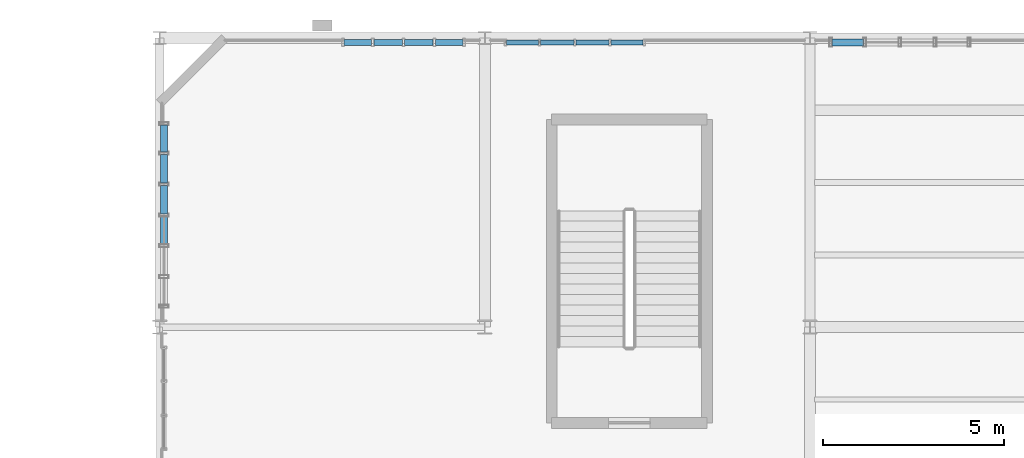
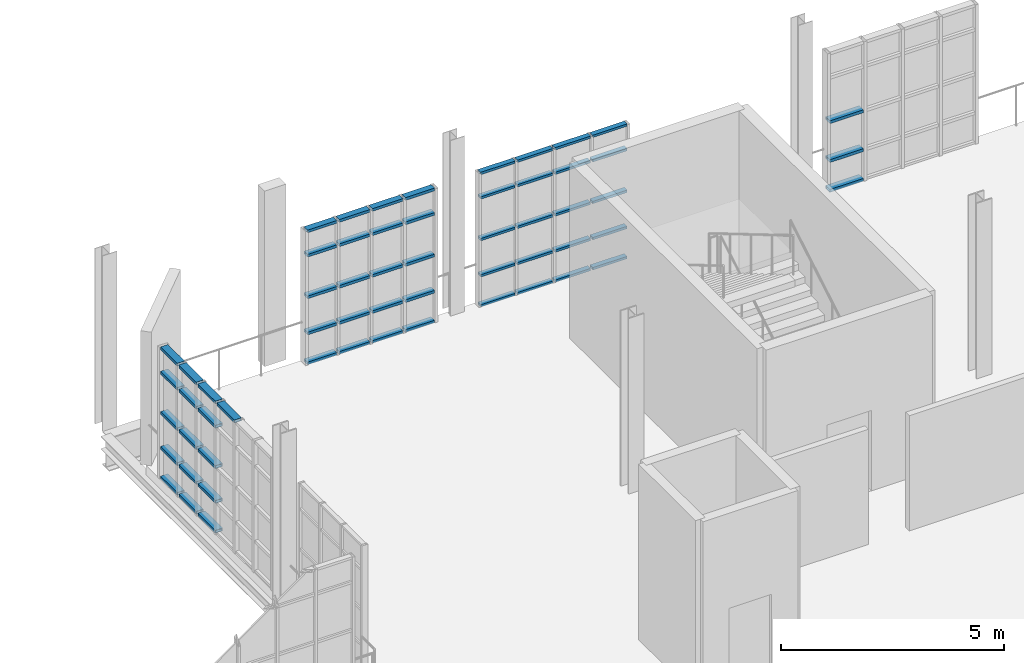
# One storey, part 71 of 122: 59 members, 4 elements without a shape of their own.
"""IFC4 building model written with IfcOpenShell, lengths in metres."""

import ifcopenshell
import ifcopenshell.guid

model = None  # the IFC model being written
_history = None  # IfcOwnerHistory: only IFC2X3 demands one
_inside = {}  # id of a spatial element -> (the spatial element, [elements in it])
_under = {}  # id of a project, library or spatial element -> (it, [spatial elements below it])
_declared = {}  # id of a project -> (the project, [libraries it declares])
_typed = {}  # id of a type object -> (the type object, [elements of that type])
_made_of = {}  # id of a material, layer set ... -> (it, [elements and type objects made of it])


def new_model(schema):
    """Start an empty IFC model of exactly this schema.

    Asked for "IFC4X3", IfcOpenShell would pick the latest addendum, in which some entities
    have other attributes; the version numbers below select the first issue.
    IFC2X3 requires an IfcOwnerHistory on every rooted entity: one is made here for all.
    """
    global model, _history
    if schema == "IFC4X3":
        model = ifcopenshell.file(schema_version=(4, 3, 0, 0))
    else:
        model = ifcopenshell.file(schema=schema)
    _inside.clear()
    _under.clear()
    _declared.clear()
    _typed.clear()
    _made_of.clear()
    _history = None
    if model.schema == "IFC2X3":
        org = make("IfcOrganization", Name="unknown")
        user = make(
            "IfcPersonAndOrganization",
            ThePerson=make("IfcPerson", FamilyName="unknown"),
            TheOrganization=org,
        )
        app = make(
            "IfcApplication",
            ApplicationDeveloper=org,
            Version="unknown",
            ApplicationFullName="unknown",
            ApplicationIdentifier="unknown",
        )
        _history = make(
            "IfcOwnerHistory",
            OwningUser=user,
            OwningApplication=app,
            ChangeAction="ADDED",
            CreationDate=0,
        )
    return model


def make(cls, **values):
    """One entity of the class cls with the attributes given. An attribute that is None is left unset."""
    return model.create_entity(
        cls, **{name: value for name, value in values.items() if value is not None}
    )


def rooted(cls, **values):
    """An entity with a GlobalId (a new one), such as an element, a storey or a relation."""
    return make(cls, GlobalId=ifcopenshell.guid.new(), OwnerHistory=_history, **values)


def si_unit(unit_type, name, prefix=None):
    """IfcSIUnit, for example si_unit("LENGTHUNIT", "METRE", prefix="MILLI")."""
    return make("IfcSIUnit", UnitType=unit_type, Prefix=prefix, Name=name)


def assignment(units):
    """IfcUnitAssignment: the units of a project."""
    return None if units is None else make("IfcUnitAssignment", Units=units)


def point(xyz):
    """IfcCartesianPoint."""
    return None if xyz is None else make("IfcCartesianPoint", Coordinates=xyz)


def direction(xyz):
    """IfcDirection."""
    return None if xyz is None else make("IfcDirection", DirectionRatios=xyz)


def frame(location, z_axis=None, x_axis=None):
    """IfcAxis2Placement3D, a coordinate frame: its origin and axes. An axis left out is left unset."""
    return make(
        "IfcAxis2Placement3D",
        Location=point(location),
        Axis=direction(z_axis),
        RefDirection=direction(x_axis),
    )


def frame_2d(location, x_axis=None):
    """IfcAxis2Placement2D, a coordinate frame in the plane: its origin and x axis."""
    return make(
        "IfcAxis2Placement2D", Location=point(location), RefDirection=direction(x_axis)
    )


def origin():
    """The frame at (0, 0, 0) with its axes left unset."""
    return frame((0.0, 0.0, 0.0))


def origin_2d():
    """The frame at (0, 0) in the plane with its x axis left unset."""
    return frame_2d((0.0, 0.0))


def place(relative_to, where):
    """IfcLocalPlacement: puts the frame where relative to a parent placement (None: the world)."""
    return make(
        "IfcLocalPlacement", PlacementRelTo=relative_to, RelativePlacement=where
    )


def context(
    kind, dimensions, precision=None, world=None, true_north=None, identifier=None
):
    """IfcGeometricRepresentationContext, for example the 3D "Model" context."""
    return make(
        "IfcGeometricRepresentationContext",
        ContextIdentifier=identifier,
        ContextType=kind,
        CoordinateSpaceDimension=dimensions,
        Precision=precision,
        WorldCoordinateSystem=world,
        TrueNorth=true_north,
    )


def subcontext(parent, identifier, kind, view, scale=None):
    """IfcGeometricRepresentationSubContext, for example "Body" below "Model"."""
    return make(
        "IfcGeometricRepresentationSubContext",
        ContextIdentifier=identifier,
        ContextType=kind,
        ParentContext=parent,
        TargetScale=scale,
        TargetView=view,
    )


def project(units=None, contexts=None):
    """IfcProject with its units and contexts."""
    return rooted(
        "IfcProject",
        Name="project",
        RepresentationContexts=contexts,
        UnitsInContext=assignment(units),
    )


def spatial(cls, under=None, at=None, **own):
    """A site, building, storey or space (cls), placed at a placement, below another one or the project."""
    s = rooted(cls, ObjectPlacement=at, **own)
    if under is not None:
        _under.setdefault(under.id(), (under, []))[1].append(s)
    return s


def profile(cls, at=None, kind="AREA", **sizes):
    """A parametric profile (cls). Its sizes go by their IFC names, for example OverallWidth=200.0."""
    return make(cls, ProfileType=kind, Position=at, **sizes)


def hollow_rectangle(**sizes):
    """IfcRectangleHollowProfileDef."""
    return profile("IfcRectangleHollowProfileDef", **sizes)


def extrude(swept, where, along, depth):
    """IfcExtrudedAreaSolid: the profile swept, set in the frame where, extruded along a direction by depth."""
    return make(
        "IfcExtrudedAreaSolid",
        SweptArea=swept,
        Position=where,
        ExtrudedDirection=direction(along),
        Depth=depth,
    )


def shape(context_of_items, identifier, shape_type, items):
    """IfcShapeRepresentation: the items that make up one representation, for example the "Body"."""
    return make(
        "IfcShapeRepresentation",
        ContextOfItems=context_of_items,
        RepresentationIdentifier=identifier,
        RepresentationType=shape_type,
        Items=items,
    )


def material(Name=None, Category=None):
    """IfcMaterial."""
    return make("IfcMaterial", Name=Name, Category=Category)


def layer(
    of_material, thickness, ventilated=None, Name=None, Category=None, Priority=None
):
    """IfcMaterialLayer: one layer of a wall or slab, of a material (None: an air gap)."""
    return make(
        "IfcMaterialLayer",
        Material=of_material,
        LayerThickness=thickness,
        IsVentilated=ventilated,
        Name=Name,
        Category=Category,
        Priority=Priority,
    )


def layer_set(layers, Name=None):
    """IfcMaterialLayerSet."""
    return make("IfcMaterialLayerSet", MaterialLayers=layers, LayerSetName=Name)


def material_profile(
    of_material, cross_section, Name=None, Category=None, Priority=None
):
    """IfcMaterialProfile: a cross section and its material."""
    return make(
        "IfcMaterialProfile",
        Name=Name,
        Material=of_material,
        Profile=cross_section,
        Priority=Priority,
        Category=Category,
    )


def profile_set(profiles, Name=None, composite=None):
    """IfcMaterialProfileSet."""
    return make(
        "IfcMaterialProfileSet",
        Name=Name,
        MaterialProfiles=profiles,
        CompositeProfile=composite,
    )


def made_of(thing, what):
    """Note that an element or type object is made of a material, layer set ...; save() writes the relation."""
    if what is not None:
        _made_of.setdefault(what.id(), (what, []))[1].append(thing)
    return thing


def type_object(cls, material=None, **own):
    """A type object (cls), such as IfcWallType, which elements share."""
    return made_of(rooted(cls, **own), material)


def element(
    cls,
    number,
    at=None,
    inside=None,
    cuts=None,
    type_object=None,
    material=None,
    context=None,
    identifier="Body",
    shape_type=None,
    held_by="IfcProductDefinitionShape",
    body=None,
    shapes=None,
    **own,
):
    """One element of the class cls, such as IfcWall. Its Tag is "e" and its number.

    at: its placement. inside: the storey or other place that contains it. cuts: it is an
    opening in that element (IfcRelVoidsElement). A single representation is given by context,
    identifier, shape_type and body (its items); several are given by shapes. held_by: the class
    of the entity that holds the representations. save() writes the other relations.
    """
    e = rooted(cls, Tag="e%d" % number, ObjectPlacement=at, **own)
    if body is not None:
        shapes = [shape(context, identifier, shape_type, body)]
    if shapes is not None:
        e.Representation = make(held_by, Representations=shapes)
    if inside is not None:
        _inside.setdefault(inside.id(), (inside, []))[1].append(e)
    if cuts is not None:
        rooted(
            "IfcRelVoidsElement", RelatingBuildingElement=cuts, RelatedOpeningElement=e
        )
    if type_object is not None:
        _typed.setdefault(type_object.id(), (type_object, []))[1].append(e)
    return made_of(e, material)


def aggregate(whole, parts):
    """IfcRelAggregates: a whole, such as a stair, and the parts it consists of."""
    return rooted("IfcRelAggregates", RelatingObject=whole, RelatedObjects=parts)


def save(model, path):
    """Write the relations noted so far, then the file.

    IfcRelAggregates (storeys below a building ...), IfcRelContainedInSpatialStructure (elements
    in a storey), IfcRelDefinesByType, IfcRelAssociatesMaterial and IfcRelDeclares: one each for
    every whole, place, type object, material and project.
    """
    for whole, parts in _under.values():
        aggregate(whole, parts)
    for where, things in _inside.values():
        rooted(
            "IfcRelContainedInSpatialStructure",
            RelatedElements=things,
            RelatingStructure=where,
        )
    for kind, things in _typed.values():
        rooted("IfcRelDefinesByType", RelatedObjects=things, RelatingType=kind)
    for what, things in _made_of.values():
        rooted("IfcRelAssociatesMaterial", RelatedObjects=things, RelatingMaterial=what)
    for by, libraries in _declared.values():
        rooted("IfcRelDeclares", RelatingContext=by, RelatedDefinitions=libraries)
    model.write(path)


model = new_model("IFC4")

# Units and contexts
model_context = context("Model", 3, precision=1e-05, world=origin(), true_north=direction((0.0, 1.0)))
body_context = subcontext(model_context, "Body", "Model", "MODEL_VIEW")
ifc_project = project(units=[si_unit("LENGTHUNIT", "METRE"), si_unit("AREAUNIT", "SQUARE_METRE"), si_unit("VOLUMEUNIT", "CUBIC_METRE"), si_unit("PLANEANGLEUNIT", "RADIAN"), si_unit("MASSUNIT", "GRAM", prefix="KILO"), si_unit("THERMODYNAMICTEMPERATUREUNIT", "KELVIN"), si_unit("POWERUNIT", "WATT")], contexts=[model_context])

# Site, building, storey
site_placement = place(None, origin())
site = spatial("IfcSite", under=ifc_project, at=site_placement, CompositionType="ELEMENT")
building_placement = place(site_placement, origin())
building = spatial("IfcBuilding", under=site, at=building_placement, Name="Zelmaris Science Centre", CompositionType="ELEMENT")
storey_placement = place(building_placement, frame((0.0, 0.0, 10.800048828125)))
storey = spatial("IfcBuildingStorey", under=building, at=storey_placement, Name="L02", CompositionType="ELEMENT", Elevation=10.800048828125)

# Curtain wall, members
ifc_material = material(Name="Anodised architectural aluminium 6063-T6", Category="aluminium")
ifc_layer_1 = layer(ifc_material, 0.2099609375, Name="Anodised architectural aluminium 6063-T6")
ifc_layer_set_1 = layer_set([ifc_layer_1], Name="Anodised architectural aluminium 6063-T6")
curtain_wall_type_1 = type_object("IfcCurtainWallType", Name="Curtain Wall CW-03", PredefinedType="USERDEFINED", material=ifc_layer_set_1)
curtain_wall_1_placement = place(storey_placement, origin())
curtain_wall_1 = element("IfcCurtainWall", 1, at=curtain_wall_1_placement, inside=storey, type_object=curtain_wall_type_1, Name="L02 Unitised curtain wall 207", ObjectType="GLAZED CURTAIN WALL", PredefinedType="USERDEFINED")
ifc_material_profile_1 = material_profile(ifc_material, hollow_rectangle(XDim=0.06494140625, YDim=0.1298828125, WallThickness=0.00341796875, at=origin_2d()), Name="ALU-TRN-65X130")
ifc_profile_set_1 = profile_set([ifc_material_profile_1], Name="Anodised architectural aluminium 6063-T6")
member_type_1 = type_object("IfcMemberType", Name="ALU-TRN-65X130", PredefinedType="USERDEFINED", material=ifc_profile_set_1)
member_1_placement = place(storey_placement, frame((63.596923828125, 87.8798828125, 0.013427734375), z_axis=(1.0, 0.0, 0.0), x_axis=(0.0, 0.0, 1.0)))
member_1 = element("IfcMember", 2, at=member_1_placement, type_object=member_type_1, Name="CW-03 transom 1.1", ObjectType="TRANSOM", PredefinedType="USERDEFINED", context=body_context, shape_type="SweptSolid", body=[
    extrude(hollow_rectangle(XDim=0.06494140625, YDim=0.1298828125, WallThickness=0.00341796875, at=origin_2d()), origin(), (0.0, 0.0, 1.0), 0.8896484375),
])
member_2_placement = place(storey_placement, frame((63.596923828125, 87.8798828125, 0.8349609375), z_axis=(1.0, 0.0, 0.0), x_axis=(0.0, 0.0, 1.0)))
member_2 = element("IfcMember", 3, at=member_2_placement, type_object=member_type_1, Name="CW-03 transom 1.2", ObjectType="TRANSOM", PredefinedType="USERDEFINED", context=body_context, shape_type="SweptSolid", body=[
    extrude(hollow_rectangle(XDim=0.06494140625, YDim=0.1298828125, WallThickness=0.00341796875, at=origin_2d()), origin(), (0.0, 0.0, 1.0), 0.8896484375),
])
member_3_placement = place(storey_placement, frame((63.596923828125, 87.8798828125, 1.824462890625), z_axis=(1.0, 0.0, 0.0), x_axis=(0.0, 0.0, 1.0)))
member_3 = element("IfcMember", 4, at=member_3_placement, type_object=member_type_1, Name="CW-03 transom 1.3", ObjectType="TRANSOM", PredefinedType="USERDEFINED", context=body_context, shape_type="SweptSolid", body=[
    extrude(hollow_rectangle(XDim=0.06494140625, YDim=0.1298828125, WallThickness=0.00341796875, at=origin_2d()), origin(), (0.0, 0.0, 1.0), 0.8896484375),
])
member_4_placement = place(storey_placement, frame((63.596923828125, 87.8798828125, 2.9638671875), z_axis=(1.0, 0.0, 0.0), x_axis=(0.0, 0.0, 1.0)))
member_4 = element("IfcMember", 5, at=member_4_placement, type_object=member_type_1, Name="CW-03 transom 1.4", ObjectType="TRANSOM", PredefinedType="USERDEFINED", context=body_context, shape_type="SweptSolid", body=[
    extrude(hollow_rectangle(XDim=0.06494140625, YDim=0.1298828125, WallThickness=0.00341796875, at=origin_2d()), origin(), (0.0, 0.0, 1.0), 0.8896484375),
])
member_5_placement = place(storey_placement, frame((63.596923828125, 87.8798828125, 3.635498046875), z_axis=(1.0, 0.0, 0.0), x_axis=(0.0, 0.0, 1.0)))
member_5 = element("IfcMember", 6, at=member_5_placement, type_object=member_type_1, Name="CW-03 transom 1.5", ObjectType="TRANSOM", PredefinedType="USERDEFINED", context=body_context, shape_type="SweptSolid", body=[
    extrude(hollow_rectangle(XDim=0.06494140625, YDim=0.1298828125, WallThickness=0.00341796875, at=origin_2d()), origin(), (0.0, 0.0, 1.0), 0.8896484375),
])
member_6_placement = place(storey_placement, frame((64.54345703125, 87.8798828125, 0.013427734375), z_axis=(1.0, 0.0, 0.0), x_axis=(0.0, 0.0, 1.0)))
member_6 = element("IfcMember", 7, at=member_6_placement, type_object=member_type_1, Name="CW-03 transom 2.1", ObjectType="TRANSOM", PredefinedType="USERDEFINED", context=body_context, shape_type="SweptSolid", body=[
    extrude(hollow_rectangle(XDim=0.06494140625, YDim=0.1298828125, WallThickness=0.00341796875, at=origin_2d()), origin(), (0.0, 0.0, 1.0), 0.91796875),
])
member_7_placement = place(storey_placement, frame((64.54345703125, 87.8798828125, 0.8349609375), z_axis=(1.0, 0.0, 0.0), x_axis=(0.0, 0.0, 1.0)))
member_7 = element("IfcMember", 8, at=member_7_placement, type_object=member_type_1, Name="CW-03 transom 2.2", ObjectType="TRANSOM", PredefinedType="USERDEFINED", context=body_context, shape_type="SweptSolid", body=[
    extrude(hollow_rectangle(XDim=0.06494140625, YDim=0.1298828125, WallThickness=0.00341796875, at=origin_2d()), origin(), (0.0, 0.0, 1.0), 0.91796875),
])
member_8_placement = place(storey_placement, frame((64.54345703125, 87.8798828125, 1.824462890625), z_axis=(1.0, 0.0, 0.0), x_axis=(0.0, 0.0, 1.0)))
member_8 = element("IfcMember", 9, at=member_8_placement, type_object=member_type_1, Name="CW-03 transom 2.3", ObjectType="TRANSOM", PredefinedType="USERDEFINED", context=body_context, shape_type="SweptSolid", body=[
    extrude(hollow_rectangle(XDim=0.06494140625, YDim=0.1298828125, WallThickness=0.00341796875, at=origin_2d()), origin(), (0.0, 0.0, 1.0), 0.91796875),
])
member_9_placement = place(storey_placement, frame((64.54345703125, 87.8798828125, 2.9638671875), z_axis=(1.0, 0.0, 0.0), x_axis=(0.0, 0.0, 1.0)))
member_9 = element("IfcMember", 10, at=member_9_placement, type_object=member_type_1, Name="CW-03 transom 2.4", ObjectType="TRANSOM", PredefinedType="USERDEFINED", context=body_context, shape_type="SweptSolid", body=[
    extrude(hollow_rectangle(XDim=0.06494140625, YDim=0.1298828125, WallThickness=0.00341796875, at=origin_2d()), origin(), (0.0, 0.0, 1.0), 0.91796875),
])
member_10_placement = place(storey_placement, frame((64.54345703125, 87.8798828125, 3.635498046875), z_axis=(1.0, 0.0, 0.0), x_axis=(0.0, 0.0, 1.0)))
member_10 = element("IfcMember", 11, at=member_10_placement, type_object=member_type_1, Name="CW-03 transom 2.5", ObjectType="TRANSOM", PredefinedType="USERDEFINED", context=body_context, shape_type="SweptSolid", body=[
    extrude(hollow_rectangle(XDim=0.06494140625, YDim=0.1298828125, WallThickness=0.00341796875, at=origin_2d()), origin(), (0.0, 0.0, 1.0), 0.91796875),
])
member_11_placement = place(storey_placement, frame((65.5185546875, 87.8798828125, 0.013427734375), z_axis=(1.0, 0.0, 0.0), x_axis=(0.0, 0.0, 1.0)))
member_11 = element("IfcMember", 12, at=member_11_placement, type_object=member_type_1, Name="CW-03 transom 3.1", ObjectType="TRANSOM", PredefinedType="USERDEFINED", context=body_context, shape_type="SweptSolid", body=[
    extrude(hollow_rectangle(XDim=0.06494140625, YDim=0.1298828125, WallThickness=0.00341796875, at=origin_2d()), origin(), (0.0, 0.0, 1.0), 0.91796875),
])
member_12_placement = place(storey_placement, frame((65.5185546875, 87.8798828125, 0.8349609375), z_axis=(1.0, 0.0, 0.0), x_axis=(0.0, 0.0, 1.0)))
member_12 = element("IfcMember", 13, at=member_12_placement, type_object=member_type_1, Name="CW-03 transom 3.2", ObjectType="TRANSOM", PredefinedType="USERDEFINED", context=body_context, shape_type="SweptSolid", body=[
    extrude(hollow_rectangle(XDim=0.06494140625, YDim=0.1298828125, WallThickness=0.00341796875, at=origin_2d()), origin(), (0.0, 0.0, 1.0), 0.91796875),
])
member_13_placement = place(storey_placement, frame((65.5185546875, 87.8798828125, 1.824462890625), z_axis=(1.0, 0.0, 0.0), x_axis=(0.0, 0.0, 1.0)))
member_13 = element("IfcMember", 14, at=member_13_placement, type_object=member_type_1, Name="CW-03 transom 3.3", ObjectType="TRANSOM", PredefinedType="USERDEFINED", context=body_context, shape_type="SweptSolid", body=[
    extrude(hollow_rectangle(XDim=0.06494140625, YDim=0.1298828125, WallThickness=0.00341796875, at=origin_2d()), origin(), (0.0, 0.0, 1.0), 0.91796875),
])
member_14_placement = place(storey_placement, frame((65.5185546875, 87.8798828125, 2.9638671875), z_axis=(1.0, 0.0, 0.0), x_axis=(0.0, 0.0, 1.0)))
member_14 = element("IfcMember", 15, at=member_14_placement, type_object=member_type_1, Name="CW-03 transom 3.4", ObjectType="TRANSOM", PredefinedType="USERDEFINED", context=body_context, shape_type="SweptSolid", body=[
    extrude(hollow_rectangle(XDim=0.06494140625, YDim=0.1298828125, WallThickness=0.00341796875, at=origin_2d()), origin(), (0.0, 0.0, 1.0), 0.91796875),
])
member_15_placement = place(storey_placement, frame((65.5185546875, 87.8798828125, 3.635498046875), z_axis=(1.0, 0.0, 0.0), x_axis=(0.0, 0.0, 1.0)))
member_15 = element("IfcMember", 16, at=member_15_placement, type_object=member_type_1, Name="CW-03 transom 3.5", ObjectType="TRANSOM", PredefinedType="USERDEFINED", context=body_context, shape_type="SweptSolid", body=[
    extrude(hollow_rectangle(XDim=0.06494140625, YDim=0.1298828125, WallThickness=0.00341796875, at=origin_2d()), origin(), (0.0, 0.0, 1.0), 0.91796875),
])
member_16_placement = place(storey_placement, frame((66.493408203125, 87.8798828125, 0.013427734375), z_axis=(1.0, 0.0, 0.0), x_axis=(0.0, 0.0, 1.0)))
member_16 = element("IfcMember", 17, at=member_16_placement, type_object=member_type_1, Name="CW-03 transom 4.1", ObjectType="TRANSOM", PredefinedType="USERDEFINED", context=body_context, shape_type="SweptSolid", body=[
    extrude(hollow_rectangle(XDim=0.06494140625, YDim=0.1298828125, WallThickness=0.00341796875, at=origin_2d()), origin(), (0.0, 0.0, 1.0), 0.8896484375),
])
member_17_placement = place(storey_placement, frame((66.493408203125, 87.8798828125, 0.8349609375), z_axis=(1.0, 0.0, 0.0), x_axis=(0.0, 0.0, 1.0)))
member_17 = element("IfcMember", 18, at=member_17_placement, type_object=member_type_1, Name="CW-03 transom 4.2", ObjectType="TRANSOM", PredefinedType="USERDEFINED", context=body_context, shape_type="SweptSolid", body=[
    extrude(hollow_rectangle(XDim=0.06494140625, YDim=0.1298828125, WallThickness=0.00341796875, at=origin_2d()), origin(), (0.0, 0.0, 1.0), 0.8896484375),
])
member_18_placement = place(storey_placement, frame((66.493408203125, 87.8798828125, 1.824462890625), z_axis=(1.0, 0.0, 0.0), x_axis=(0.0, 0.0, 1.0)))
member_18 = element("IfcMember", 19, at=member_18_placement, type_object=member_type_1, Name="CW-03 transom 4.3", ObjectType="TRANSOM", PredefinedType="USERDEFINED", context=body_context, shape_type="SweptSolid", body=[
    extrude(hollow_rectangle(XDim=0.06494140625, YDim=0.1298828125, WallThickness=0.00341796875, at=origin_2d()), origin(), (0.0, 0.0, 1.0), 0.8896484375),
])
member_19_placement = place(storey_placement, frame((66.493408203125, 87.8798828125, 2.9638671875), z_axis=(1.0, 0.0, 0.0), x_axis=(0.0, 0.0, 1.0)))
member_19 = element("IfcMember", 20, at=member_19_placement, type_object=member_type_1, Name="CW-03 transom 4.4", ObjectType="TRANSOM", PredefinedType="USERDEFINED", context=body_context, shape_type="SweptSolid", body=[
    extrude(hollow_rectangle(XDim=0.06494140625, YDim=0.1298828125, WallThickness=0.00341796875, at=origin_2d()), origin(), (0.0, 0.0, 1.0), 0.8896484375),
])
member_20_placement = place(storey_placement, frame((66.493408203125, 87.8798828125, 3.635498046875), z_axis=(1.0, 0.0, 0.0), x_axis=(0.0, 0.0, 1.0)))
member_20 = element("IfcMember", 21, at=member_20_placement, type_object=member_type_1, Name="CW-03 transom 4.5", ObjectType="TRANSOM", PredefinedType="USERDEFINED", context=body_context, shape_type="SweptSolid", body=[
    extrude(hollow_rectangle(XDim=0.06494140625, YDim=0.1298828125, WallThickness=0.00341796875, at=origin_2d()), origin(), (0.0, 0.0, 1.0), 0.8896484375),
])
aggregate(curtain_wall_1, [member_1, member_2, member_3, member_4, member_5, member_6, member_7, member_8, member_9, member_10, member_11, member_12, member_13, member_14, member_15, member_16, member_17, member_18, member_19, member_20])

ifc_layer_2 = layer(ifc_material, 0.199951171875, Name="Anodised architectural aluminium 6063-T6")
ifc_layer_set_2 = layer_set([ifc_layer_2], Name="Anodised architectural aluminium 6063-T6")
curtain_wall_type_2 = type_object("IfcCurtainWallType", Name="Curtain Wall CW-02", PredefinedType="USERDEFINED", material=ifc_layer_set_2)
curtain_wall_2_placement = place(storey_placement, origin())
curtain_wall_2 = element("IfcCurtainWall", 22, at=curtain_wall_2_placement, inside=storey, type_object=curtain_wall_type_2, Name="L02 Unitised curtain wall 206", ObjectType="GLAZED CURTAIN WALL", PredefinedType="USERDEFINED")
ifc_material_profile_2 = material_profile(ifc_material, hollow_rectangle(XDim=0.074951171875, YDim=0.159912109375, WallThickness=0.00390625, at=origin_2d()), Name="ALU-TRN-75X160")
ifc_profile_set_2 = profile_set([ifc_material_profile_2], Name="Anodised architectural aluminium 6063-T6")
member_type_2 = type_object("IfcMemberType", Name="ALU-TRN-75X160", PredefinedType="USERDEFINED", material=ifc_profile_set_2)
member_21_placement = place(storey_placement, frame((59.10693359375, 87.8798828125, 0.0185546875), z_axis=(1.0, 0.0, 0.0), x_axis=(0.0, 0.0, 1.0)))
member_21 = element("IfcMember", 23, at=member_21_placement, type_object=member_type_2, Name="CW-02 transom 1.1", ObjectType="TRANSOM", PredefinedType="USERDEFINED", context=body_context, shape_type="SweptSolid", body=[
    extrude(hollow_rectangle(XDim=0.074951171875, YDim=0.159912109375, WallThickness=0.00390625, at=origin_2d()), origin(), (0.0, 0.0, 1.0), 0.754638671875),
])
member_22_placement = place(storey_placement, frame((59.10693359375, 87.8798828125, 0.8349609375), z_axis=(1.0, 0.0, 0.0), x_axis=(0.0, 0.0, 1.0)))
member_22 = element("IfcMember", 24, at=member_22_placement, type_object=member_type_2, Name="CW-02 transom 1.2", ObjectType="TRANSOM", PredefinedType="USERDEFINED", context=body_context, shape_type="SweptSolid", body=[
    extrude(hollow_rectangle(XDim=0.074951171875, YDim=0.159912109375, WallThickness=0.00390625, at=origin_2d()), origin(), (0.0, 0.0, 1.0), 0.754638671875),
])
member_23_placement = place(storey_placement, frame((59.10693359375, 87.8798828125, 1.824462890625), z_axis=(1.0, 0.0, 0.0), x_axis=(0.0, 0.0, 1.0)))
member_23 = element("IfcMember", 25, at=member_23_placement, type_object=member_type_2, Name="CW-02 transom 1.3", ObjectType="TRANSOM", PredefinedType="USERDEFINED", context=body_context, shape_type="SweptSolid", body=[
    extrude(hollow_rectangle(XDim=0.074951171875, YDim=0.159912109375, WallThickness=0.00390625, at=origin_2d()), origin(), (0.0, 0.0, 1.0), 0.754638671875),
])
member_24_placement = place(storey_placement, frame((59.10693359375, 87.8798828125, 2.9638671875), z_axis=(1.0, 0.0, 0.0), x_axis=(0.0, 0.0, 1.0)))
member_24 = element("IfcMember", 26, at=member_24_placement, type_object=member_type_2, Name="CW-02 transom 1.4", ObjectType="TRANSOM", PredefinedType="USERDEFINED", context=body_context, shape_type="SweptSolid", body=[
    extrude(hollow_rectangle(XDim=0.074951171875, YDim=0.159912109375, WallThickness=0.00390625, at=origin_2d()), origin(), (0.0, 0.0, 1.0), 0.754638671875),
])
member_25_placement = place(storey_placement, frame((59.10693359375, 87.8798828125, 3.63037109375), z_axis=(1.0, 0.0, 0.0), x_axis=(0.0, 0.0, 1.0)))
member_25 = element("IfcMember", 27, at=member_25_placement, type_object=member_type_2, Name="CW-02 transom 1.5", ObjectType="TRANSOM", PredefinedType="USERDEFINED", context=body_context, shape_type="SweptSolid", body=[
    extrude(hollow_rectangle(XDim=0.074951171875, YDim=0.159912109375, WallThickness=0.00390625, at=origin_2d()), origin(), (0.0, 0.0, 1.0), 0.754638671875),
])
member_26_placement = place(storey_placement, frame((59.928466796875, 87.8798828125, 0.0185546875), z_axis=(1.0, 0.0, 0.0), x_axis=(0.0, 0.0, 1.0)))
member_26 = element("IfcMember", 28, at=member_26_placement, type_object=member_type_2, Name="CW-02 transom 2.1", ObjectType="TRANSOM", PredefinedType="USERDEFINED", context=body_context, shape_type="SweptSolid", body=[
    extrude(hollow_rectangle(XDim=0.074951171875, YDim=0.159912109375, WallThickness=0.00390625, at=origin_2d()), origin(), (0.0, 0.0, 1.0), 0.7880859375),
])
member_27_placement = place(storey_placement, frame((59.928466796875, 87.8798828125, 0.8349609375), z_axis=(1.0, 0.0, 0.0), x_axis=(0.0, 0.0, 1.0)))
member_27 = element("IfcMember", 29, at=member_27_placement, type_object=member_type_2, Name="CW-02 transom 2.2", ObjectType="TRANSOM", PredefinedType="USERDEFINED", context=body_context, shape_type="SweptSolid", body=[
    extrude(hollow_rectangle(XDim=0.074951171875, YDim=0.159912109375, WallThickness=0.00390625, at=origin_2d()), origin(), (0.0, 0.0, 1.0), 0.7880859375),
])
member_28_placement = place(storey_placement, frame((59.928466796875, 87.8798828125, 1.824462890625), z_axis=(1.0, 0.0, 0.0), x_axis=(0.0, 0.0, 1.0)))
member_28 = element("IfcMember", 30, at=member_28_placement, type_object=member_type_2, Name="CW-02 transom 2.3", ObjectType="TRANSOM", PredefinedType="USERDEFINED", context=body_context, shape_type="SweptSolid", body=[
    extrude(hollow_rectangle(XDim=0.074951171875, YDim=0.159912109375, WallThickness=0.00390625, at=origin_2d()), origin(), (0.0, 0.0, 1.0), 0.7880859375),
])
member_29_placement = place(storey_placement, frame((59.928466796875, 87.8798828125, 2.9638671875), z_axis=(1.0, 0.0, 0.0), x_axis=(0.0, 0.0, 1.0)))
member_29 = element("IfcMember", 31, at=member_29_placement, type_object=member_type_2, Name="CW-02 transom 2.4", ObjectType="TRANSOM", PredefinedType="USERDEFINED", context=body_context, shape_type="SweptSolid", body=[
    extrude(hollow_rectangle(XDim=0.074951171875, YDim=0.159912109375, WallThickness=0.00390625, at=origin_2d()), origin(), (0.0, 0.0, 1.0), 0.7880859375),
])
member_30_placement = place(storey_placement, frame((59.928466796875, 87.8798828125, 3.63037109375), z_axis=(1.0, 0.0, 0.0), x_axis=(0.0, 0.0, 1.0)))
member_30 = element("IfcMember", 32, at=member_30_placement, type_object=member_type_2, Name="CW-02 transom 2.5", ObjectType="TRANSOM", PredefinedType="USERDEFINED", context=body_context, shape_type="SweptSolid", body=[
    extrude(hollow_rectangle(XDim=0.074951171875, YDim=0.159912109375, WallThickness=0.00390625, at=origin_2d()), origin(), (0.0, 0.0, 1.0), 0.7880859375),
])
member_31_placement = place(storey_placement, frame((60.783447265625, 87.8798828125, 0.0185546875), z_axis=(1.0, 0.0, 0.0), x_axis=(0.0, 0.0, 1.0)))
member_31 = element("IfcMember", 33, at=member_31_placement, type_object=member_type_2, Name="CW-02 transom 3.1", ObjectType="TRANSOM", PredefinedType="USERDEFINED", context=body_context, shape_type="SweptSolid", body=[
    extrude(hollow_rectangle(XDim=0.074951171875, YDim=0.159912109375, WallThickness=0.00390625, at=origin_2d()), origin(), (0.0, 0.0, 1.0), 0.7880859375),
])
member_32_placement = place(storey_placement, frame((60.783447265625, 87.8798828125, 0.8349609375), z_axis=(1.0, 0.0, 0.0), x_axis=(0.0, 0.0, 1.0)))
member_32 = element("IfcMember", 34, at=member_32_placement, type_object=member_type_2, Name="CW-02 transom 3.2", ObjectType="TRANSOM", PredefinedType="USERDEFINED", context=body_context, shape_type="SweptSolid", body=[
    extrude(hollow_rectangle(XDim=0.074951171875, YDim=0.159912109375, WallThickness=0.00390625, at=origin_2d()), origin(), (0.0, 0.0, 1.0), 0.7880859375),
])
member_33_placement = place(storey_placement, frame((60.783447265625, 87.8798828125, 1.824462890625), z_axis=(1.0, 0.0, 0.0), x_axis=(0.0, 0.0, 1.0)))
member_33 = element("IfcMember", 35, at=member_33_placement, type_object=member_type_2, Name="CW-02 transom 3.3", ObjectType="TRANSOM", PredefinedType="USERDEFINED", context=body_context, shape_type="SweptSolid", body=[
    extrude(hollow_rectangle(XDim=0.074951171875, YDim=0.159912109375, WallThickness=0.00390625, at=origin_2d()), origin(), (0.0, 0.0, 1.0), 0.7880859375),
])
member_34_placement = place(storey_placement, frame((60.783447265625, 87.8798828125, 2.9638671875), z_axis=(1.0, 0.0, 0.0), x_axis=(0.0, 0.0, 1.0)))
member_34 = element("IfcMember", 36, at=member_34_placement, type_object=member_type_2, Name="CW-02 transom 3.4", ObjectType="TRANSOM", PredefinedType="USERDEFINED", context=body_context, shape_type="SweptSolid", body=[
    extrude(hollow_rectangle(XDim=0.074951171875, YDim=0.159912109375, WallThickness=0.00390625, at=origin_2d()), origin(), (0.0, 0.0, 1.0), 0.7880859375),
])
member_35_placement = place(storey_placement, frame((60.783447265625, 87.8798828125, 3.63037109375), z_axis=(1.0, 0.0, 0.0), x_axis=(0.0, 0.0, 1.0)))
member_35 = element("IfcMember", 37, at=member_35_placement, type_object=member_type_2, Name="CW-02 transom 3.5", ObjectType="TRANSOM", PredefinedType="USERDEFINED", context=body_context, shape_type="SweptSolid", body=[
    extrude(hollow_rectangle(XDim=0.074951171875, YDim=0.159912109375, WallThickness=0.00390625, at=origin_2d()), origin(), (0.0, 0.0, 1.0), 0.7880859375),
])
member_36_placement = place(storey_placement, frame((61.638427734375, 87.8798828125, 0.0185546875), z_axis=(1.0, 0.0, 0.0), x_axis=(0.0, 0.0, 1.0)))
member_36 = element("IfcMember", 38, at=member_36_placement, type_object=member_type_2, Name="CW-02 transom 4.1", ObjectType="TRANSOM", PredefinedType="USERDEFINED", context=body_context, shape_type="SweptSolid", body=[
    extrude(hollow_rectangle(XDim=0.074951171875, YDim=0.159912109375, WallThickness=0.00390625, at=origin_2d()), origin(), (0.0, 0.0, 1.0), 0.754638671875),
])
member_37_placement = place(storey_placement, frame((61.638427734375, 87.8798828125, 0.8349609375), z_axis=(1.0, 0.0, 0.0), x_axis=(0.0, 0.0, 1.0)))
member_37 = element("IfcMember", 39, at=member_37_placement, type_object=member_type_2, Name="CW-02 transom 4.2", ObjectType="TRANSOM", PredefinedType="USERDEFINED", context=body_context, shape_type="SweptSolid", body=[
    extrude(hollow_rectangle(XDim=0.074951171875, YDim=0.159912109375, WallThickness=0.00390625, at=origin_2d()), origin(), (0.0, 0.0, 1.0), 0.754638671875),
])
member_38_placement = place(storey_placement, frame((61.638427734375, 87.8798828125, 1.824462890625), z_axis=(1.0, 0.0, 0.0), x_axis=(0.0, 0.0, 1.0)))
member_38 = element("IfcMember", 40, at=member_38_placement, type_object=member_type_2, Name="CW-02 transom 4.3", ObjectType="TRANSOM", PredefinedType="USERDEFINED", context=body_context, shape_type="SweptSolid", body=[
    extrude(hollow_rectangle(XDim=0.074951171875, YDim=0.159912109375, WallThickness=0.00390625, at=origin_2d()), origin(), (0.0, 0.0, 1.0), 0.754638671875),
])
member_39_placement = place(storey_placement, frame((61.638427734375, 87.8798828125, 2.9638671875), z_axis=(1.0, 0.0, 0.0), x_axis=(0.0, 0.0, 1.0)))
member_39 = element("IfcMember", 41, at=member_39_placement, type_object=member_type_2, Name="CW-02 transom 4.4", ObjectType="TRANSOM", PredefinedType="USERDEFINED", context=body_context, shape_type="SweptSolid", body=[
    extrude(hollow_rectangle(XDim=0.074951171875, YDim=0.159912109375, WallThickness=0.00390625, at=origin_2d()), origin(), (0.0, 0.0, 1.0), 0.754638671875),
])
member_40_placement = place(storey_placement, frame((61.638427734375, 87.8798828125, 3.63037109375), z_axis=(1.0, 0.0, 0.0), x_axis=(0.0, 0.0, 1.0)))
member_40 = element("IfcMember", 42, at=member_40_placement, type_object=member_type_2, Name="CW-02 transom 4.5", ObjectType="TRANSOM", PredefinedType="USERDEFINED", context=body_context, shape_type="SweptSolid", body=[
    extrude(hollow_rectangle(XDim=0.074951171875, YDim=0.159912109375, WallThickness=0.00390625, at=origin_2d()), origin(), (0.0, 0.0, 1.0), 0.754638671875),
])
aggregate(curtain_wall_2, [member_21, member_22, member_23, member_24, member_25, member_26, member_27, member_28, member_29, member_30, member_31, member_32, member_33, member_34, member_35, member_36, member_37, member_38, member_39, member_40])

ifc_layer_3 = layer(ifc_material, 0.18994140625, Name="Anodised architectural aluminium 6063-T6")
ifc_layer_set_3 = layer_set([ifc_layer_3], Name="Anodised architectural aluminium 6063-T6")
curtain_wall_type_3 = type_object("IfcCurtainWallType", Name="Curtain Wall CW-01", PredefinedType="USERDEFINED", material=ifc_layer_set_3)
curtain_wall_3_placement = place(storey_placement, origin())
curtain_wall_3 = element("IfcCurtainWall", 43, at=curtain_wall_3_placement, inside=storey, type_object=curtain_wall_type_3, Name="L02 Unitised curtain wall 205", ObjectType="GLAZED CURTAIN WALL", PredefinedType="USERDEFINED")
ifc_material_profile_3 = material_profile(ifc_material, hollow_rectangle(XDim=0.080078125, YDim=0.18994140625, WallThickness=0.00439453125, at=origin_2d()), Name="ALU-TRN-80X190")
ifc_profile_set_3 = profile_set([ifc_material_profile_3], Name="Anodised architectural aluminium 6063-T6")
member_type_3 = type_object("IfcMemberType", Name="ALU-TRN-80X190", PredefinedType="USERDEFINED", material=ifc_profile_set_3)
member_41_placement = place(storey_placement, frame((54.1201171875, 82.28271484375, 3.554931640625), z_axis=(0.0, 1.0, 0.0), x_axis=(0.0, 0.0, 1.0)))
member_41 = element("IfcMember", 44, at=member_41_placement, type_object=member_type_3, Name="CW-01 transom 3.5", ObjectType="TRANSOM", PredefinedType="USERDEFINED", context=body_context, shape_type="SweptSolid", body=[
    extrude(hollow_rectangle(XDim=0.080078125, YDim=0.18994140625, WallThickness=0.00439453125, at=origin_2d()), origin(), (0.0, 0.0, 1.0), 0.78125),
])
member_42_placement = place(storey_placement, frame((54.1201171875, 83.135986328125, 0.02099609375), z_axis=(0.0, 1.0, 0.0), x_axis=(0.0, 0.0, 1.0)))
member_42 = element("IfcMember", 45, at=member_42_placement, type_object=member_type_3, Name="CW-01 transom 4.1", ObjectType="TRANSOM", PredefinedType="USERDEFINED", context=body_context, shape_type="SweptSolid", body=[
    extrude(hollow_rectangle(XDim=0.080078125, YDim=0.18994140625, WallThickness=0.00439453125, at=origin_2d()), origin(), (0.0, 0.0, 1.0), 0.78125),
])
member_43_placement = place(storey_placement, frame((54.1201171875, 83.135986328125, 0.8349609375), z_axis=(0.0, 1.0, 0.0), x_axis=(0.0, 0.0, 1.0)))
member_43 = element("IfcMember", 46, at=member_43_placement, type_object=member_type_3, Name="CW-01 transom 4.2", ObjectType="TRANSOM", PredefinedType="USERDEFINED", context=body_context, shape_type="SweptSolid", body=[
    extrude(hollow_rectangle(XDim=0.080078125, YDim=0.18994140625, WallThickness=0.00439453125, at=origin_2d()), origin(), (0.0, 0.0, 1.0), 0.78125),
])
member_44_placement = place(storey_placement, frame((54.1201171875, 83.135986328125, 1.787841796875), z_axis=(0.0, 1.0, 0.0), x_axis=(0.0, 0.0, 1.0)))
member_44 = element("IfcMember", 47, at=member_44_placement, type_object=member_type_3, Name="CW-01 transom 4.3", ObjectType="TRANSOM", PredefinedType="USERDEFINED", context=body_context, shape_type="SweptSolid", body=[
    extrude(hollow_rectangle(XDim=0.080078125, YDim=0.18994140625, WallThickness=0.00439453125, at=origin_2d()), origin(), (0.0, 0.0, 1.0), 0.78125),
])
member_45_placement = place(storey_placement, frame((54.1201171875, 83.135986328125, 2.890869140625), z_axis=(0.0, 1.0, 0.0), x_axis=(0.0, 0.0, 1.0)))
member_45 = element("IfcMember", 48, at=member_45_placement, type_object=member_type_3, Name="CW-01 transom 4.4", ObjectType="TRANSOM", PredefinedType="USERDEFINED", context=body_context, shape_type="SweptSolid", body=[
    extrude(hollow_rectangle(XDim=0.080078125, YDim=0.18994140625, WallThickness=0.00439453125, at=origin_2d()), origin(), (0.0, 0.0, 1.0), 0.78125),
])
member_46_placement = place(storey_placement, frame((54.1201171875, 83.135986328125, 3.554931640625), z_axis=(0.0, 1.0, 0.0), x_axis=(0.0, 0.0, 1.0)))
member_46 = element("IfcMember", 49, at=member_46_placement, type_object=member_type_3, Name="CW-01 transom 4.5", ObjectType="TRANSOM", PredefinedType="USERDEFINED", context=body_context, shape_type="SweptSolid", body=[
    extrude(hollow_rectangle(XDim=0.080078125, YDim=0.18994140625, WallThickness=0.00439453125, at=origin_2d()), origin(), (0.0, 0.0, 1.0), 0.78125),
])
member_47_placement = place(storey_placement, frame((54.1201171875, 83.9892578125, 0.02099609375), z_axis=(0.0, 1.0, 0.0), x_axis=(0.0, 0.0, 1.0)))
member_47 = element("IfcMember", 50, at=member_47_placement, type_object=member_type_3, Name="CW-01 transom 5.1", ObjectType="TRANSOM", PredefinedType="USERDEFINED", context=body_context, shape_type="SweptSolid", body=[
    extrude(hollow_rectangle(XDim=0.080078125, YDim=0.18994140625, WallThickness=0.00439453125, at=origin_2d()), origin(), (0.0, 0.0, 1.0), 0.781494140625),
])
member_48_placement = place(storey_placement, frame((54.1201171875, 83.9892578125, 0.8349609375), z_axis=(0.0, 1.0, 0.0), x_axis=(0.0, 0.0, 1.0)))
member_48 = element("IfcMember", 51, at=member_48_placement, type_object=member_type_3, Name="CW-01 transom 5.2", ObjectType="TRANSOM", PredefinedType="USERDEFINED", context=body_context, shape_type="SweptSolid", body=[
    extrude(hollow_rectangle(XDim=0.080078125, YDim=0.18994140625, WallThickness=0.00439453125, at=origin_2d()), origin(), (0.0, 0.0, 1.0), 0.781494140625),
])
member_49_placement = place(storey_placement, frame((54.1201171875, 83.9892578125, 1.787841796875), z_axis=(0.0, 1.0, 0.0), x_axis=(0.0, 0.0, 1.0)))
member_49 = element("IfcMember", 52, at=member_49_placement, type_object=member_type_3, Name="CW-01 transom 5.3", ObjectType="TRANSOM", PredefinedType="USERDEFINED", context=body_context, shape_type="SweptSolid", body=[
    extrude(hollow_rectangle(XDim=0.080078125, YDim=0.18994140625, WallThickness=0.00439453125, at=origin_2d()), origin(), (0.0, 0.0, 1.0), 0.781494140625),
])
member_50_placement = place(storey_placement, frame((54.1201171875, 83.9892578125, 2.890869140625), z_axis=(0.0, 1.0, 0.0), x_axis=(0.0, 0.0, 1.0)))
member_50 = element("IfcMember", 53, at=member_50_placement, type_object=member_type_3, Name="CW-01 transom 5.4", ObjectType="TRANSOM", PredefinedType="USERDEFINED", context=body_context, shape_type="SweptSolid", body=[
    extrude(hollow_rectangle(XDim=0.080078125, YDim=0.18994140625, WallThickness=0.00439453125, at=origin_2d()), origin(), (0.0, 0.0, 1.0), 0.781494140625),
])
member_51_placement = place(storey_placement, frame((54.1201171875, 83.9892578125, 3.554931640625), z_axis=(0.0, 1.0, 0.0), x_axis=(0.0, 0.0, 1.0)))
member_51 = element("IfcMember", 54, at=member_51_placement, type_object=member_type_3, Name="CW-01 transom 5.5", ObjectType="TRANSOM", PredefinedType="USERDEFINED", context=body_context, shape_type="SweptSolid", body=[
    extrude(hollow_rectangle(XDim=0.080078125, YDim=0.18994140625, WallThickness=0.00439453125, at=origin_2d()), origin(), (0.0, 0.0, 1.0), 0.781494140625),
])
member_52_placement = place(storey_placement, frame((54.1201171875, 84.8427734375, 0.02099609375), z_axis=(0.0, 1.0, 0.0), x_axis=(0.0, 0.0, 1.0)))
member_52 = element("IfcMember", 55, at=member_52_placement, type_object=member_type_3, Name="CW-01 transom 6.1", ObjectType="TRANSOM", PredefinedType="USERDEFINED", context=body_context, shape_type="SweptSolid", body=[
    extrude(hollow_rectangle(XDim=0.080078125, YDim=0.18994140625, WallThickness=0.00439453125, at=origin_2d()), origin(), (0.0, 0.0, 1.0), 0.7451171875),
])
member_53_placement = place(storey_placement, frame((54.1201171875, 84.8427734375, 0.8349609375), z_axis=(0.0, 1.0, 0.0), x_axis=(0.0, 0.0, 1.0)))
member_53 = element("IfcMember", 56, at=member_53_placement, type_object=member_type_3, Name="CW-01 transom 6.2", ObjectType="TRANSOM", PredefinedType="USERDEFINED", context=body_context, shape_type="SweptSolid", body=[
    extrude(hollow_rectangle(XDim=0.080078125, YDim=0.18994140625, WallThickness=0.00439453125, at=origin_2d()), origin(), (0.0, 0.0, 1.0), 0.7451171875),
])
member_54_placement = place(storey_placement, frame((54.1201171875, 84.8427734375, 1.787841796875), z_axis=(0.0, 1.0, 0.0), x_axis=(0.0, 0.0, 1.0)))
member_54 = element("IfcMember", 57, at=member_54_placement, type_object=member_type_3, Name="CW-01 transom 6.3", ObjectType="TRANSOM", PredefinedType="USERDEFINED", context=body_context, shape_type="SweptSolid", body=[
    extrude(hollow_rectangle(XDim=0.080078125, YDim=0.18994140625, WallThickness=0.00439453125, at=origin_2d()), origin(), (0.0, 0.0, 1.0), 0.7451171875),
])
member_55_placement = place(storey_placement, frame((54.1201171875, 84.8427734375, 2.890869140625), z_axis=(0.0, 1.0, 0.0), x_axis=(0.0, 0.0, 1.0)))
member_55 = element("IfcMember", 58, at=member_55_placement, type_object=member_type_3, Name="CW-01 transom 6.4", ObjectType="TRANSOM", PredefinedType="USERDEFINED", context=body_context, shape_type="SweptSolid", body=[
    extrude(hollow_rectangle(XDim=0.080078125, YDim=0.18994140625, WallThickness=0.00439453125, at=origin_2d()), origin(), (0.0, 0.0, 1.0), 0.7451171875),
])
member_56_placement = place(storey_placement, frame((54.1201171875, 84.8427734375, 3.554931640625), z_axis=(0.0, 1.0, 0.0), x_axis=(0.0, 0.0, 1.0)))
member_56 = element("IfcMember", 59, at=member_56_placement, type_object=member_type_3, Name="CW-01 transom 6.5", ObjectType="TRANSOM", PredefinedType="USERDEFINED", context=body_context, shape_type="SweptSolid", body=[
    extrude(hollow_rectangle(XDim=0.080078125, YDim=0.18994140625, WallThickness=0.00439453125, at=origin_2d()), origin(), (0.0, 0.0, 1.0), 0.7451171875),
])
aggregate(curtain_wall_3, [member_41, member_42, member_43, member_44, member_45, member_46, member_47, member_48, member_49, member_50, member_51, member_52, member_53, member_54, member_55, member_56])

curtain_wall_4_placement = place(storey_placement, origin())
curtain_wall_4 = element("IfcCurtainWall", 60, at=curtain_wall_4_placement, inside=storey, type_object=curtain_wall_type_3, Name="L02 Unitised curtain wall 209", ObjectType="GLAZED CURTAIN WALL", PredefinedType="USERDEFINED")
member_57_placement = place(storey_placement, frame((72.612060546875, 87.8798828125, 0.02099609375), z_axis=(1.0, 0.0, 0.0), x_axis=(0.0, 0.0, 1.0)))
member_57 = element("IfcMember", 61, at=member_57_placement, type_object=member_type_3, Name="CW-01 transom 1.1", ObjectType="TRANSOM", PredefinedType="USERDEFINED", context=body_context, shape_type="SweptSolid", body=[
    extrude(hollow_rectangle(XDim=0.080078125, YDim=0.18994140625, WallThickness=0.00439453125, at=origin_2d()), origin(), (0.0, 0.0, 1.0), 0.866943359375),
])
member_58_placement = place(storey_placement, frame((72.612060546875, 87.8798828125, 0.8349609375), z_axis=(1.0, 0.0, 0.0), x_axis=(0.0, 0.0, 1.0)))
member_58 = element("IfcMember", 62, at=member_58_placement, type_object=member_type_3, Name="CW-01 transom 1.2", ObjectType="TRANSOM", PredefinedType="USERDEFINED", context=body_context, shape_type="SweptSolid", body=[
    extrude(hollow_rectangle(XDim=0.080078125, YDim=0.18994140625, WallThickness=0.00439453125, at=origin_2d()), origin(), (0.0, 0.0, 1.0), 0.866943359375),
])
member_59_placement = place(storey_placement, frame((72.612060546875, 87.8798828125, 1.8984375), z_axis=(1.0, 0.0, 0.0), x_axis=(0.0, 0.0, 1.0)))
member_59 = element("IfcMember", 63, at=member_59_placement, type_object=member_type_3, Name="CW-01 transom 1.3", ObjectType="TRANSOM", PredefinedType="USERDEFINED", context=body_context, shape_type="SweptSolid", body=[
    extrude(hollow_rectangle(XDim=0.080078125, YDim=0.18994140625, WallThickness=0.00439453125, at=origin_2d()), origin(), (0.0, 0.0, 1.0), 0.866943359375),
])
aggregate(curtain_wall_4, [member_57, member_58, member_59])

save(model, "model.ifc")
